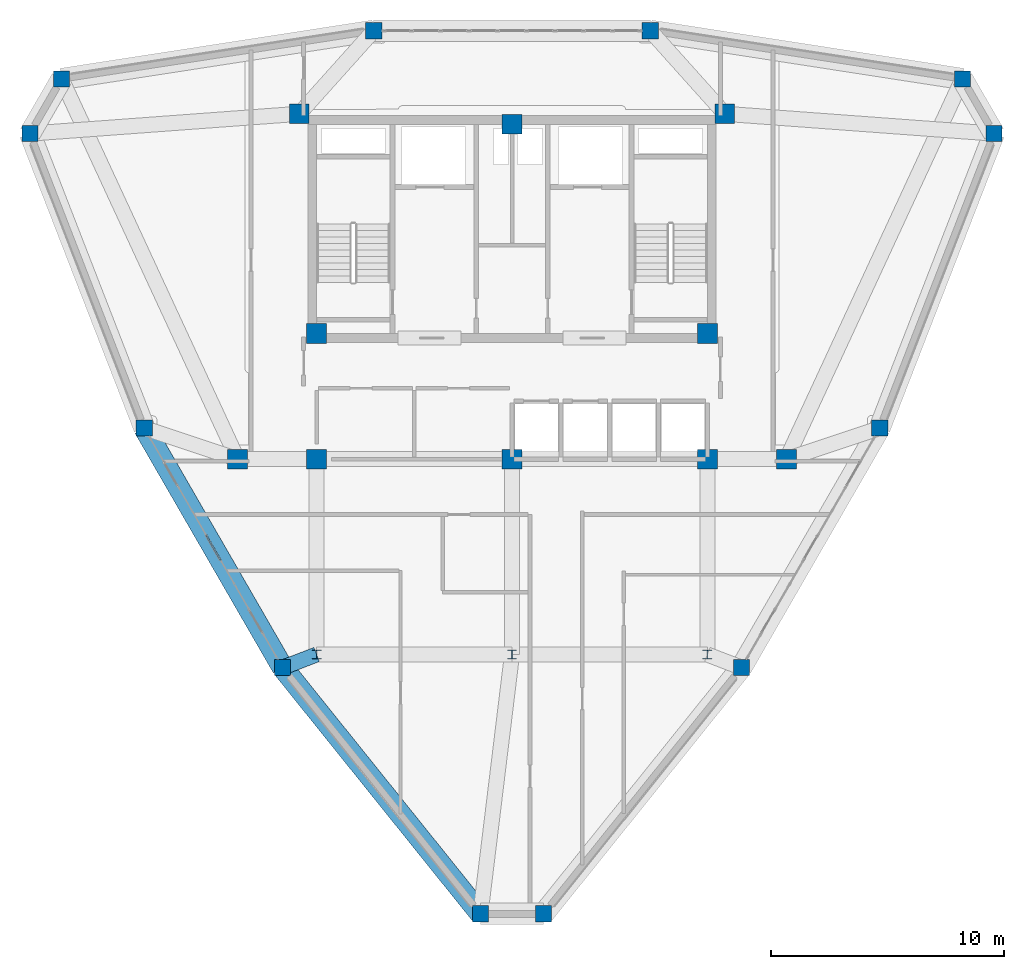
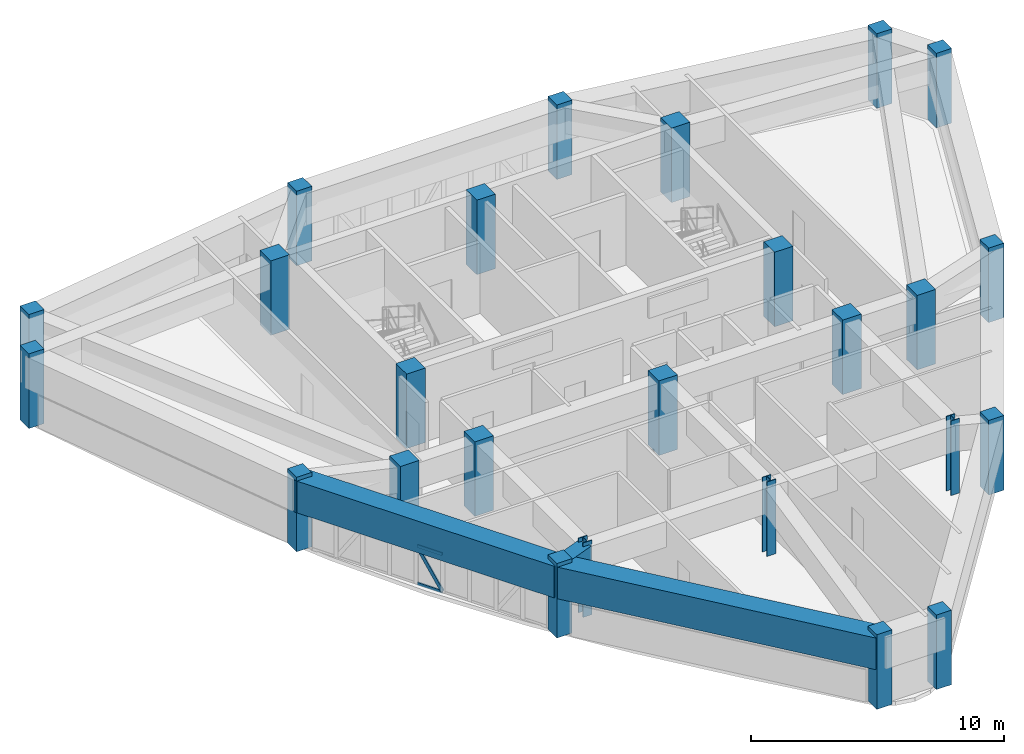
# One storey, part 1 of 14: 25 columns, 3 beams, 3 members, 1 element without a shape of its own.
"""IFC4 building model written with IfcOpenShell, lengths in metres."""

from ifc_helpers import new_model, si_unit, derived_unit, direction, frame, origin, origin_2d, place, context, subcontext, project, spatial, rectangle, hollow_rectangle, i_section, extrude, source, transform, mapped, material, layer, layer_set, material_profile, profile_set, type_object, element, aggregate, save


model = new_model("IFC4")

# Units and contexts
model_context = context("Model", 3, precision=1e-05, world=origin(), true_north=direction((0.0, 1.0)))
body_context = subcontext(model_context, "Body", "Model", "MODEL_VIEW")
ifc_project = project(units=[si_unit("LENGTHUNIT", "METRE"), si_unit("AREAUNIT", "SQUARE_METRE"), si_unit("VOLUMEUNIT", "CUBIC_METRE"), si_unit("PLANEANGLEUNIT", "RADIAN"), si_unit("MASSUNIT", "GRAM", prefix="KILO"), derived_unit("THERMALTRANSMITTANCEUNIT", [(si_unit("POWERUNIT", "WATT"), 1), (si_unit("LENGTHUNIT", "METRE"), -2), (si_unit("THERMODYNAMICTEMPERATUREUNIT", "KELVIN"), -1)])], contexts=[model_context])

# Site, building, storey
site_placement = place(None, origin())
site = spatial("IfcSite", under=ifc_project, at=site_placement, CompositionType="ELEMENT")
building_placement = place(site_placement, origin())
building = spatial("IfcBuilding", under=site, at=building_placement, Name="Korsvarv Bourse and Concert Hall", CompositionType="ELEMENT")
storey_placement = place(building_placement, frame((0.0, 0.0, 257.39990234375)))
storey = spatial("IfcBuildingStorey", under=building, at=storey_placement, Name="L67", CompositionType="ELEMENT", Elevation=257.39990234375)

# Columns
ifc_material_1 = material(Name="Concrete C50/60", Category="concrete")
ifc_material_profile_1 = material_profile(ifc_material_1, rectangle(XDim=0.85009765625, YDim=0.85009765625, at=origin_2d()), Name="RC 850x850")
ifc_profile_set_1 = profile_set([ifc_material_profile_1], Name="Concrete C50/60")
column_type_1 = type_object("IfcColumnType", Name="COL-RC850", PredefinedType="COLUMN", material=ifc_profile_set_1)
shared_shape_1 = source(origin(), body_context, "Body", "SweptSolid", [
    extrude(rectangle(XDim=0.85009765625, YDim=0.85009765625, at=origin_2d()), origin(), (0.0, 0.0, 1.0), 3.60009765625),
])
for number, where, z_axis, x_axis, name in (
    (1, (26.85009765625, 47.25, 0.0), (0.0, 0.0, 1.0), (1.0, 0.0, 0.0), "L67 column C-04"),
    (2, (45.14990234375, 47.25, 0.0), (0.0, 0.0, 1.0), (1.0, 0.0, 0.0), "L67 column C-04"),
    (3, (27.60009765625, 37.800048828125, 0.0), (0.0, 0.0, 1.0), (1.0, 0.0, 0.0), "L67 column C-04"),
    (4, (44.39990234375, 37.800048828125, 0.0), (0.0, 0.0, 1.0), (1.0, 0.0, 0.0), "L67 column C-04"),
    (5, (27.60009765625, 32.39990234375, 0.0), (0.0, 0.0, 1.0), (1.0, 0.0, 0.0), "L67 column C-04"),
    (6, (44.39990234375, 32.39990234375, 0.0), (0.0, 0.0, 1.0), (1.0, 0.0, 0.0), "L67 column C-04"),
    (7, (36.0, 46.800048828125, 0.0), (0.0, 0.0, 1.0), (1.0, 0.0, 0.0), "L67 column C-04"),
    (8, (36.0, 32.39990234375, 0.0), (0.0, 0.0, 1.0), (1.0, 0.0, 0.0), "L67 column C-04"),
    (9, (24.199951171875, 32.39990234375, 0.0), (0.0, 0.0, 1.0), (1.0, 0.0, 0.0), "L67 column C-04"),
    (10, (47.800048828125, 32.39990234375, 0.0), (0.0, 0.0, 1.0), (1.0, 0.0, 0.0), "L67 column C-04"),
):
    element("IfcColumn", number, at=place(storey_placement, frame(where, z_axis=z_axis, x_axis=x_axis)), inside=storey, type_object=column_type_1, Name=name, PredefinedType="COLUMN", context=body_context, shape_type="MappedRepresentation", body=[
        mapped(shared_shape_1, transform((0.0, 0.0, 0.0), scale=1.0)),
    ])
ifc_material_2 = material(Name="Steel S355", Category="steel")
ifc_material_profile_2 = material_profile(ifc_material_2, i_section(OverallWidth=0.40087890625, OverallDepth=0.39892578125, WebThickness=0.0224609375, FlangeThickness=0.035888671875, FilletRadius=0.014892578125, at=origin_2d()), Name="HD 400x314")
ifc_profile_set_2 = profile_set([ifc_material_profile_2], Name="Steel S355")
column_type_2 = type_object("IfcColumnType", Name="COL-HD314", PredefinedType="COLUMN", material=ifc_profile_set_2)
shared_shape_2 = source(origin(), body_context, "Body", "SweptSolid", [
    extrude(i_section(OverallWidth=0.40087890625, OverallDepth=0.39892578125, WebThickness=0.0224609375, FlangeThickness=0.035888671875, FilletRadius=0.014892578125, at=origin_2d()), origin(), (0.0, 0.0, 1.0), 3.60009765625),
])
for number, where, z_axis, x_axis, name in (
    (11, (27.60009765625, 24.0, 0.0), (0.0, 0.0, 1.0), (1.0, 0.0, 0.0), "L67 column C-11"),
    (12, (44.39990234375, 24.0, 0.0), (0.0, 0.0, 1.0), (1.0, 0.0, 0.0), "L67 column C-11"),
    (13, (36.0, 24.0, 0.0), (0.0, 0.0, 1.0), (1.0, 0.0, 0.0), "L67 column C-11"),
):
    element("IfcColumn", number, at=place(storey_placement, frame(where, z_axis=z_axis, x_axis=x_axis)), inside=storey, type_object=column_type_2, Name=name, PredefinedType="COLUMN", context=body_context, shape_type="MappedRepresentation", body=[
        mapped(shared_shape_2, transform((0.0, 0.0, 0.0), scale=1.0)),
    ])
ifc_material_profile_3 = material_profile(ifc_material_1, rectangle(XDim=0.699951171875, YDim=0.699951171875, at=origin_2d()), Name="RC 700x700")
ifc_profile_set_3 = profile_set([ifc_material_profile_3], Name="Concrete C50/60")
column_type_3 = type_object("IfcColumnType", Name="COL-RC700", PredefinedType="COLUMN", material=ifc_profile_set_3)
shared_shape_3 = source(origin(), body_context, "Body", "SweptSolid", [
    extrude(rectangle(XDim=0.699951171875, YDim=0.699951171875, at=origin_2d()), origin(), (0.0, 0.0, 1.0), 3.60009765625),
])
for number, where, z_axis, x_axis, name in (
    (14, (56.72509765625, 46.399169921875, 0.0), (0.0, 0.0, 1.0), (1.0, 0.0, 0.0), "L67 column C-05"),
    (15, (55.368408203125, 48.7490234375, 0.0), (0.0, 0.0, 1.0), (1.0, 0.0, 0.0), "L67 column C-05"),
    (16, (41.94580078125, 50.82275390625, 0.0), (0.0, 0.0, 1.0), (1.0, 0.0, 0.0), "L67 column C-05"),
    (17, (30.05419921875, 50.82275390625, 0.0), (0.0, 0.0, 1.0), (1.0, 0.0, 0.0), "L67 column C-05"),
    (18, (16.631591796875, 48.7490234375, 0.0), (0.0, 0.0, 1.0), (1.0, 0.0, 0.0), "L67 column C-05"),
    (19, (15.27490234375, 46.399169921875, 0.0), (0.0, 0.0, 1.0), (1.0, 0.0, 0.0), "L67 column C-05"),
    (20, (20.190185546875, 33.73779296875, 0.0), (0.0, 0.0, 1.0), (1.0, 0.0, 0.0), "L67 column C-05"),
    (21, (26.135986328125, 23.439453125, 0.0), (0.0, 0.0, 1.0), (1.0, 0.0, 0.0), "L67 column C-05"),
    (22, (34.643310546875, 12.851806640625, 0.0), (0.0, 0.0, 1.0), (1.0, 0.0, 0.0), "L67 column C-05"),
    (23, (37.356689453125, 12.851806640625, 0.0), (0.0, 0.0, 1.0), (1.0, 0.0, 0.0), "L67 column C-05"),
    (24, (45.864013671875, 23.439453125, 0.0), (0.0, 0.0, 1.0), (1.0, 0.0, 0.0), "L67 column C-05"),
    (25, (51.809814453125, 33.73779296875, 0.0), (0.0, 0.0, 1.0), (1.0, 0.0, 0.0), "L67 column C-05"),
):
    element("IfcColumn", number, at=place(storey_placement, frame(where, z_axis=z_axis, x_axis=x_axis)), inside=storey, type_object=column_type_3, Name=name, PredefinedType="COLUMN", context=body_context, shape_type="MappedRepresentation", body=[
        mapped(shared_shape_3, transform((0.0, 0.0, 0.0), scale=1.0)),
    ])

# Beams
ifc_material_profile_4 = material_profile(ifc_material_1, rectangle(XDim=0.919921875, YDim=1.530029296875, at=origin_2d()), Name="RC-BM 920x1530")
ifc_profile_set_4 = profile_set([ifc_material_profile_4], Name="Concrete C50/60")
beam_type_1 = type_object("IfcBeamType", Name="BM-TR-154", PredefinedType="BEAM", material=ifc_profile_set_4)
shared_shape_4 = source(origin(), body_context, "Body", "SweptSolid", [
    extrude(rectangle(XDim=0.919921875, YDim=1.530029296875, at=origin_2d()), origin(), (0.0, 0.0, 1.0), 11.8916015625),
])
beam_1_placement = place(storey_placement, frame((20.190185546875, 33.73779296875, 2.64501953125), z_axis=(0.500003248124, -0.866023528471, 0.0), x_axis=(0.866023528471, 0.500003248124, 0.0)))
element("IfcBeam", 26, at=beam_1_placement, inside=storey, type_object=beam_type_1, Name="L67 beam B-TR6", PredefinedType="BEAM", context=body_context, shape_type="MappedRepresentation", body=[
    mapped(shared_shape_4, transform((0.0, 0.0, 0.0), scale=1.0)),
])
shared_shape_5 = source(origin(), body_context, "Body", "SweptSolid", [
    extrude(rectangle(XDim=0.919921875, YDim=1.530029296875, at=origin_2d()), origin(), (0.0, 0.0, 1.0), 13.58203125),
])
beam_2_placement = place(storey_placement, frame((26.135986328125, 23.439453125, 2.64501953125), z_axis=(0.626363997107, -0.779530719811, 0.0), x_axis=(0.779530719811, 0.626363997107, 0.0)))
element("IfcBeam", 27, at=beam_2_placement, inside=storey, type_object=beam_type_1, Name="L67 beam B-TR6", PredefinedType="BEAM", context=body_context, shape_type="MappedRepresentation", body=[
    mapped(shared_shape_5, transform((0.0, 0.0, 0.0), scale=1.0)),
])
ifc_material_profile_5 = material_profile(ifc_material_1, rectangle(XDim=0.64990234375, YDim=1.239990234375, at=origin_2d()), Name="RC-BM 650x1240")
ifc_profile_set_5 = profile_set([ifc_material_profile_5], Name="Concrete C50/60")
beam_type_2 = type_object("IfcBeamType", Name="BM-TR-SPN", PredefinedType="BEAM", material=ifc_profile_set_5)
shared_shape_6 = source(origin(), body_context, "Body", "SweptSolid", [
    extrude(rectangle(XDim=0.64990234375, YDim=1.239990234375, at=origin_2d()), origin(), (0.0, 0.0, 1.0), 1.567626953125),
])
beam_3_placement = place(storey_placement, frame((26.135986328125, 23.439453125, 2.7900390625), z_axis=(0.933894371826, 0.357549020796, 0.0), x_axis=(-0.357549020796, 0.933894371826, 0.0)))
element("IfcBeam", 28, at=beam_3_placement, inside=storey, type_object=beam_type_2, Name="L67 beam B-TRS", PredefinedType="BEAM", context=body_context, shape_type="MappedRepresentation", body=[
    mapped(shared_shape_6, transform((0.0, 0.0, 0.0), scale=1.0)),
])

# Curtain wall, members
ifc_material_3 = material(Name="Anodised aluminium and triple low-E glazing", Category="glass")
ifc_layer = layer(ifc_material_3, 0.199951171875)
ifc_layer_set = layer_set([ifc_layer], Name="Anodised aluminium and triple low-E glazing")
curtain_wall_type = type_object("IfcCurtainWallType", Name="CW-SYS-3", PredefinedType="NOTDEFINED", material=ifc_layer_set)
curtain_wall_placement = place(storey_placement, origin())
curtain_wall = element("IfcCurtainWall", 29, at=curtain_wall_placement, inside=storey, type_object=curtain_wall_type, Name="L67 CW3 curtain wall CW-L67-F07", PredefinedType="NOTDEFINED")
ifc_material_4 = material(Name="Extruded aluminium EN AW-6063 T66", Category="aluminium")
ifc_material_profile_6 = material_profile(ifc_material_4, hollow_rectangle(XDim=0.06494140625, YDim=0.139892578125, WallThickness=0.00390625, at=origin_2d()), Name="ALU-T 65x140")
ifc_profile_set_6 = profile_set([ifc_material_profile_6], Name="Extruded aluminium EN AW-6063 T66")
member_type_1 = type_object("IfcMemberType", Name="CWT-140", PredefinedType="USERDEFINED", material=ifc_profile_set_6)
shared_shape_7 = source(origin(), body_context, "Body", "SweptSolid", [
    extrude(hollow_rectangle(XDim=0.06494140625, YDim=0.139892578125, WallThickness=0.00390625, at=origin_2d()), origin(), (0.0, 0.0, 1.0), 1.1484375),
])
member_1_placement = place(storey_placement, frame((22.8759765625, 29.0859375, 0.03271484375), z_axis=(0.499980071345, -0.866036909293, 0.0), x_axis=(0.866036909293, 0.499980071345, 0.0)))
member_1 = element("IfcMember", 30, at=member_1_placement, type_object=member_type_1, Name="CW3 transom 5.1", ObjectType="TRANSOM", PredefinedType="USERDEFINED", context=body_context, shape_type="MappedRepresentation", body=[
    mapped(shared_shape_7, transform((0.0, 0.0, 0.0), scale=1.0)),
])
member_2_placement = place(storey_placement, frame((22.8759765625, 29.0859375, 1.84765625), z_axis=(0.499980071345, -0.866036909293, 0.0), x_axis=(0.866036909293, 0.499980071345, 0.0)))
member_2 = element("IfcMember", 31, at=member_2_placement, type_object=member_type_1, Name="CW3 transom 5.2", ObjectType="TRANSOM", PredefinedType="USERDEFINED", context=body_context, shape_type="MappedRepresentation", body=[
    mapped(shared_shape_7, transform((0.0, 0.0, 0.0), scale=1.0)),
])
ifc_material_profile_7 = material_profile(ifc_material_4, hollow_rectangle(XDim=0.06494140625, YDim=0.1650390625, WallThickness=0.0048828125, at=origin_2d()), Name="ALU-M 65x165")
ifc_profile_set_7 = profile_set([ifc_material_profile_7], Name="Extruded aluminium EN AW-6063 T66")
member_type_2 = type_object("IfcMemberType", Name="CWM-165", PredefinedType="MULLION", material=ifc_profile_set_7)
shared_shape_8 = source(origin(), body_context, "Body", "SweptSolid", [
    extrude(hollow_rectangle(XDim=0.06494140625, YDim=0.1650390625, WallThickness=0.0048828125, at=origin_2d()), origin(), (0.0, 0.0, 1.0), 2.09326171875),
])
member_3_placement = place(storey_placement, frame((23.4501953125, 28.09130859375, 0.065185546875), z_axis=(-0.274324929215, 0.475169966676, 0.836037879513), x_axis=(-0.866036909293, -0.499980071345, 0.0)))
member_3 = element("IfcMember", 32, at=member_3_placement, type_object=member_type_2, Name="CW3 diagonal mullion 5", PredefinedType="MULLION", context=body_context, shape_type="MappedRepresentation", body=[
    mapped(shared_shape_8, transform((0.0, 0.0, 0.0), scale=1.0)),
])
aggregate(curtain_wall, [member_1, member_2, member_3])

save(model, "model.ifc")
